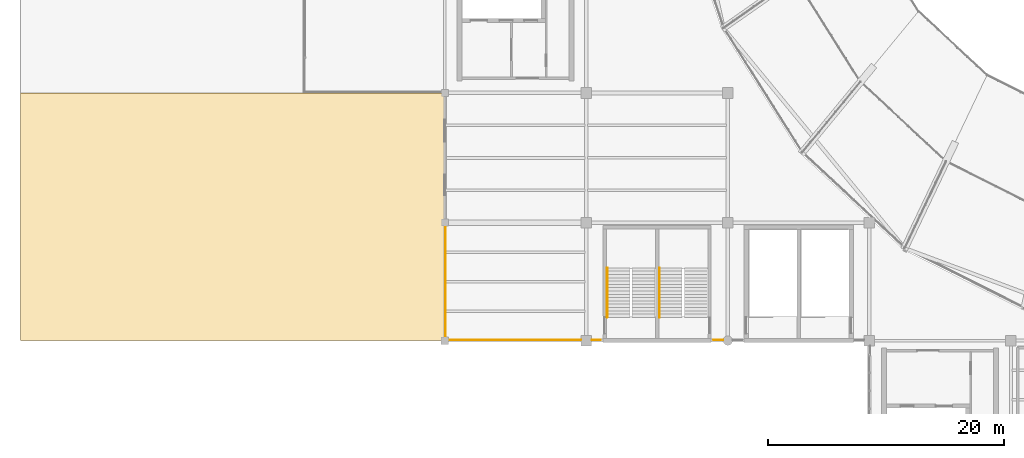
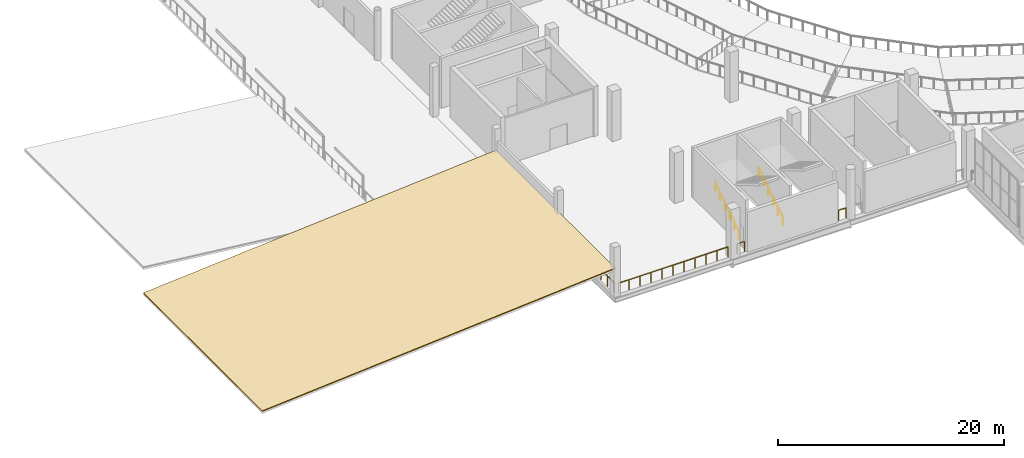
# One storey, part 62 of 74: 6 railings, 1 covering.
"""IFC4 building model written with IfcOpenShell, lengths in metres."""

import ifcopenshell
import ifcopenshell.guid

model = None  # the IFC model being written
_history = None  # IfcOwnerHistory: only IFC2X3 demands one
_inside = {}  # id of a spatial element -> (the spatial element, [elements in it])
_under = {}  # id of a project, library or spatial element -> (it, [spatial elements below it])
_declared = {}  # id of a project -> (the project, [libraries it declares])
_typed = {}  # id of a type object -> (the type object, [elements of that type])
_made_of = {}  # id of a material, layer set ... -> (it, [elements and type objects made of it])


def new_model(schema):
    """Start an empty IFC model of exactly this schema.

    Asked for "IFC4X3", IfcOpenShell would pick the latest addendum, in which some entities
    have other attributes; the version numbers below select the first issue.
    IFC2X3 requires an IfcOwnerHistory on every rooted entity: one is made here for all.
    """
    global model, _history
    if schema == "IFC4X3":
        model = ifcopenshell.file(schema_version=(4, 3, 0, 0))
    else:
        model = ifcopenshell.file(schema=schema)
    _inside.clear()
    _under.clear()
    _declared.clear()
    _typed.clear()
    _made_of.clear()
    _history = None
    if model.schema == "IFC2X3":
        org = make("IfcOrganization", Name="unknown")
        user = make(
            "IfcPersonAndOrganization",
            ThePerson=make("IfcPerson", FamilyName="unknown"),
            TheOrganization=org,
        )
        app = make(
            "IfcApplication",
            ApplicationDeveloper=org,
            Version="unknown",
            ApplicationFullName="unknown",
            ApplicationIdentifier="unknown",
        )
        _history = make(
            "IfcOwnerHistory",
            OwningUser=user,
            OwningApplication=app,
            ChangeAction="ADDED",
            CreationDate=0,
        )
    return model


def make(cls, **values):
    """One entity of the class cls with the attributes given. An attribute that is None is left unset."""
    return model.create_entity(
        cls, **{name: value for name, value in values.items() if value is not None}
    )


def rooted(cls, **values):
    """An entity with a GlobalId (a new one), such as an element, a storey or a relation."""
    return make(cls, GlobalId=ifcopenshell.guid.new(), OwnerHistory=_history, **values)


def si_unit(unit_type, name, prefix=None):
    """IfcSIUnit, for example si_unit("LENGTHUNIT", "METRE", prefix="MILLI")."""
    return make("IfcSIUnit", UnitType=unit_type, Prefix=prefix, Name=name)


def assignment(units):
    """IfcUnitAssignment: the units of a project."""
    return None if units is None else make("IfcUnitAssignment", Units=units)


def point(xyz):
    """IfcCartesianPoint."""
    return None if xyz is None else make("IfcCartesianPoint", Coordinates=xyz)


def direction(xyz):
    """IfcDirection."""
    return None if xyz is None else make("IfcDirection", DirectionRatios=xyz)


def frame(location, z_axis=None, x_axis=None):
    """IfcAxis2Placement3D, a coordinate frame: its origin and axes. An axis left out is left unset."""
    return make(
        "IfcAxis2Placement3D",
        Location=point(location),
        Axis=direction(z_axis),
        RefDirection=direction(x_axis),
    )


def frame_2d(location, x_axis=None):
    """IfcAxis2Placement2D, a coordinate frame in the plane: its origin and x axis."""
    return make(
        "IfcAxis2Placement2D", Location=point(location), RefDirection=direction(x_axis)
    )


def origin():
    """The frame at (0, 0, 0) with its axes left unset."""
    return frame((0.0, 0.0, 0.0))


def origin_2d():
    """The frame at (0, 0) in the plane with its x axis left unset."""
    return frame_2d((0.0, 0.0))


def place(relative_to, where):
    """IfcLocalPlacement: puts the frame where relative to a parent placement (None: the world)."""
    return make(
        "IfcLocalPlacement", PlacementRelTo=relative_to, RelativePlacement=where
    )


def context(
    kind, dimensions, precision=None, world=None, true_north=None, identifier=None
):
    """IfcGeometricRepresentationContext, for example the 3D "Model" context."""
    return make(
        "IfcGeometricRepresentationContext",
        ContextIdentifier=identifier,
        ContextType=kind,
        CoordinateSpaceDimension=dimensions,
        Precision=precision,
        WorldCoordinateSystem=world,
        TrueNorth=true_north,
    )


def subcontext(parent, identifier, kind, view, scale=None):
    """IfcGeometricRepresentationSubContext, for example "Body" below "Model"."""
    return make(
        "IfcGeometricRepresentationSubContext",
        ContextIdentifier=identifier,
        ContextType=kind,
        ParentContext=parent,
        TargetScale=scale,
        TargetView=view,
    )


def project(units=None, contexts=None):
    """IfcProject with its units and contexts."""
    return rooted(
        "IfcProject",
        Name="project",
        RepresentationContexts=contexts,
        UnitsInContext=assignment(units),
    )


def spatial(cls, under=None, at=None, **own):
    """A site, building, storey or space (cls), placed at a placement, below another one or the project."""
    s = rooted(cls, ObjectPlacement=at, **own)
    if under is not None:
        _under.setdefault(under.id(), (under, []))[1].append(s)
    return s


def polyline(points):
    """IfcPolyline through the points."""
    return make("IfcPolyline", Points=[point(p) for p in points])


def profile(cls, at=None, kind="AREA", **sizes):
    """A parametric profile (cls). Its sizes go by their IFC names, for example OverallWidth=200.0."""
    return make(cls, ProfileType=kind, Position=at, **sizes)


def circle(**sizes):
    """IfcCircleProfileDef."""
    return profile("IfcCircleProfileDef", **sizes)


def outline(outer, holes=None, kind="AREA"):
    """IfcArbitraryClosedProfileDef: a profile drawn as a closed curve; with holes, ...WithVoids."""
    if holes is None:
        return make("IfcArbitraryClosedProfileDef", ProfileType=kind, OuterCurve=outer)
    return make(
        "IfcArbitraryProfileDefWithVoids",
        ProfileType=kind,
        OuterCurve=outer,
        InnerCurves=holes,
    )


def extrude(swept, where, along, depth):
    """IfcExtrudedAreaSolid: the profile swept, set in the frame where, extruded along a direction by depth."""
    return make(
        "IfcExtrudedAreaSolid",
        SweptArea=swept,
        Position=where,
        ExtrudedDirection=direction(along),
        Depth=depth,
    )


def shape(context_of_items, identifier, shape_type, items):
    """IfcShapeRepresentation: the items that make up one representation, for example the "Body"."""
    return make(
        "IfcShapeRepresentation",
        ContextOfItems=context_of_items,
        RepresentationIdentifier=identifier,
        RepresentationType=shape_type,
        Items=items,
    )


def material(Name=None, Category=None):
    """IfcMaterial."""
    return make("IfcMaterial", Name=Name, Category=Category)


def layer(
    of_material, thickness, ventilated=None, Name=None, Category=None, Priority=None
):
    """IfcMaterialLayer: one layer of a wall or slab, of a material (None: an air gap)."""
    return make(
        "IfcMaterialLayer",
        Material=of_material,
        LayerThickness=thickness,
        IsVentilated=ventilated,
        Name=Name,
        Category=Category,
        Priority=Priority,
    )


def layer_set(layers, Name=None):
    """IfcMaterialLayerSet."""
    return make("IfcMaterialLayerSet", MaterialLayers=layers, LayerSetName=Name)


def made_of(thing, what):
    """Note that an element or type object is made of a material, layer set ...; save() writes the relation."""
    if what is not None:
        _made_of.setdefault(what.id(), (what, []))[1].append(thing)
    return thing


def type_object(cls, material=None, **own):
    """A type object (cls), such as IfcWallType, which elements share."""
    return made_of(rooted(cls, **own), material)


def element(
    cls,
    number,
    at=None,
    inside=None,
    cuts=None,
    type_object=None,
    material=None,
    context=None,
    identifier="Body",
    shape_type=None,
    held_by="IfcProductDefinitionShape",
    body=None,
    shapes=None,
    **own,
):
    """One element of the class cls, such as IfcWall. Its Tag is "e" and its number.

    at: its placement. inside: the storey or other place that contains it. cuts: it is an
    opening in that element (IfcRelVoidsElement). A single representation is given by context,
    identifier, shape_type and body (its items); several are given by shapes. held_by: the class
    of the entity that holds the representations. save() writes the other relations.
    """
    e = rooted(cls, Tag="e%d" % number, ObjectPlacement=at, **own)
    if body is not None:
        shapes = [shape(context, identifier, shape_type, body)]
    if shapes is not None:
        e.Representation = make(held_by, Representations=shapes)
    if inside is not None:
        _inside.setdefault(inside.id(), (inside, []))[1].append(e)
    if cuts is not None:
        rooted(
            "IfcRelVoidsElement", RelatingBuildingElement=cuts, RelatedOpeningElement=e
        )
    if type_object is not None:
        _typed.setdefault(type_object.id(), (type_object, []))[1].append(e)
    return made_of(e, material)


def aggregate(whole, parts):
    """IfcRelAggregates: a whole, such as a stair, and the parts it consists of."""
    return rooted("IfcRelAggregates", RelatingObject=whole, RelatedObjects=parts)


def save(model, path):
    """Write the relations noted so far, then the file.

    IfcRelAggregates (storeys below a building ...), IfcRelContainedInSpatialStructure (elements
    in a storey), IfcRelDefinesByType, IfcRelAssociatesMaterial and IfcRelDeclares: one each for
    every whole, place, type object, material and project.
    """
    for whole, parts in _under.values():
        aggregate(whole, parts)
    for where, things in _inside.values():
        rooted(
            "IfcRelContainedInSpatialStructure",
            RelatedElements=things,
            RelatingStructure=where,
        )
    for kind, things in _typed.values():
        rooted("IfcRelDefinesByType", RelatedObjects=things, RelatingType=kind)
    for what, things in _made_of.values():
        rooted("IfcRelAssociatesMaterial", RelatedObjects=things, RelatingMaterial=what)
    for by, libraries in _declared.values():
        rooted("IfcRelDeclares", RelatingContext=by, RelatedDefinitions=libraries)
    model.write(path)


model = new_model("IFC4")

# Units and contexts
model_context = context("Model", 3, precision=1e-05, world=origin(), true_north=direction((0.0, 1.0)))
body_context = subcontext(model_context, "Body", "Model", "MODEL_VIEW")
ifc_project = project(units=[si_unit("LENGTHUNIT", "METRE"), si_unit("AREAUNIT", "SQUARE_METRE"), si_unit("VOLUMEUNIT", "CUBIC_METRE"), si_unit("PLANEANGLEUNIT", "RADIAN"), si_unit("MASSUNIT", "GRAM", prefix="KILO")], contexts=[model_context])

# Site, building, storey
site_placement = place(None, origin())
site = spatial("IfcSite", under=ifc_project, at=site_placement, CompositionType="ELEMENT")
building_placement = place(site_placement, origin())
building = spatial("IfcBuilding", under=site, at=building_placement, Name="Brinegate Civic Arena", CompositionType="ELEMENT")
storey_placement = place(building_placement, frame((0.0, 0.0, 19.199951171875)))
storey = spatial("IfcBuildingStorey", under=building, at=storey_placement, Name="L04", CompositionType="ELEMENT", Elevation=19.199951171875)

# Railings
ifc_material_1 = material(Name="Architectural stainless steel balustrade", Category="steel")
railing_type_1 = type_object("IfcRailingType", Name="RAIL-STAIR-HANDRAIL-900", PredefinedType="HANDRAIL", material=ifc_material_1)
for number, where, name in (
    (1, (61.77490234375, 11.969970703125, 0.0), "Stair Pitch Handrail ST-02A L04"),
    (2, (66.22509765625, 11.969970703125, 0.0), "Stair Pitch Handrail ST-02B L04"),
):
    element("IfcRailing", number, at=place(storey_placement, frame(where)), inside=storey, type_object=railing_type_1, Name=name, PredefinedType="HANDRAIL", context=body_context, shape_type="SweptSolid", body=[
        extrude(circle(Radius=0.02392578125, at=origin_2d()), frame((0.0, 0.001220703125, 0.876708984375), z_axis=(0.0, 0.841180064094, 0.540755119968), x_axis=(-1.0, 0.0, 0.0)), (0.0, 0.0, 1.0), 4.989990234375),
        extrude(circle(Radius=0.02099609375, at=origin_2d()), origin(), (0.0, 0.0, 1.0), 0.849853515625),
        extrude(circle(Radius=0.02099609375, at=origin_2d()), frame((0.0, 0.840087890625, 0.5400390625)), (0.0, 0.0, 1.0), 0.849853515625),
        extrude(circle(Radius=0.02099609375, at=origin_2d()), frame((0.0, 1.679931640625, 1.080078125)), (0.0, 0.0, 1.0), 0.849853515625),
        extrude(circle(Radius=0.02099609375, at=origin_2d()), frame((0.0, 2.52001953125, 1.619873046875)), (0.0, 0.0, 1.0), 0.849853515625),
        extrude(circle(Radius=0.02099609375, at=origin_2d()), frame((0.0, 3.35986328125, 2.159912109375)), (0.0, 0.0, 1.0), 0.849853515625),
        extrude(circle(Radius=0.02099609375, at=origin_2d()), frame((0.0, 4.199951171875, 2.699951171875)), (0.0, 0.0, 1.0), 0.849853515625),
    ])
railing_type_2 = type_object("IfcRailingType", Name="RAIL-VOID-BALUSTRADE-1120", PredefinedType="BALUSTRADE", material=ifc_material_1)
railing_1_placement = place(storey_placement, frame((71.580078125, 10.070068359375, 0.0)))
element("IfcRailing", 3, at=railing_1_placement, inside=storey, type_object=railing_type_2, Name="Deck Edge Balustrade L04-379", PredefinedType="BALUSTRADE", context=body_context, shape_type="SweptSolid", body=[
    extrude(circle(Radius=0.02392578125, at=origin_2d()), frame((-0.00146484375, 0.0, 1.09619140625), z_axis=(-1.0, 0.0, 0.0), x_axis=(0.0, -1.0, 0.0)), (0.0, 0.0, 1.0), 0.777099609375),
    extrude(circle(Radius=0.02099609375, at=origin_2d()), origin(), (0.0, 0.0, 1.0), 1.070068359375),
    extrude(circle(Radius=0.02099609375, at=origin_2d()), frame((-0.780029296875, 0.0, 0.0)), (0.0, 0.0, 1.0), 1.070068359375),
])
railing_2_placement = place(storey_placement, frame((61.199951171875, 10.070068359375, 0.0)))
element("IfcRailing", 4, at=railing_2_placement, inside=storey, type_object=railing_type_2, Name="Deck Edge Balustrade L04-380", PredefinedType="BALUSTRADE", context=body_context, shape_type="SweptSolid", body=[
    extrude(circle(Radius=0.02392578125, at=origin_2d()), frame((-0.00146484375, 0.0, 1.09619140625), z_axis=(-1.0, 0.0, 0.0), x_axis=(0.0, -1.0, 0.0)), (0.0, 0.0, 1.0), 0.72705078125),
    extrude(circle(Radius=0.02099609375, at=origin_2d()), origin(), (0.0, 0.0, 1.0), 1.070068359375),
    extrude(circle(Radius=0.02099609375, at=origin_2d()), frame((-0.72998046875, 0.0, 0.0)), (0.0, 0.0, 1.0), 1.070068359375),
])
railing_3_placement = place(storey_placement, frame((59.530029296875, 10.070068359375, 0.0)))
element("IfcRailing", 5, at=railing_3_placement, inside=storey, type_object=railing_type_2, Name="Deck Edge Balustrade L04-381", PredefinedType="BALUSTRADE", context=body_context, shape_type="SweptSolid", body=[
    extrude(circle(Radius=0.02392578125, at=origin_2d()), frame((-0.00146484375, 0.0, 1.09619140625), z_axis=(-1.0, 0.0, 0.0), x_axis=(0.0, -1.0, 0.0)), (0.0, 0.0, 1.0), 11.18212890625),
    extrude(circle(Radius=0.02099609375, at=origin_2d()), origin(), (0.0, 0.0, 1.0), 1.070068359375),
    extrude(circle(Radius=0.02099609375, at=origin_2d()), frame((-1.118408203125, 0.0, 0.0)), (0.0, 0.0, 1.0), 1.070068359375),
    extrude(circle(Radius=0.02099609375, at=origin_2d()), frame((-2.237060546875, 0.0, 0.0)), (0.0, 0.0, 1.0), 1.070068359375),
    extrude(circle(Radius=0.02099609375, at=origin_2d()), frame((-3.35546875, 0.0, 0.0)), (0.0, 0.0, 1.0), 1.070068359375),
    extrude(circle(Radius=0.02099609375, at=origin_2d()), frame((-4.47412109375, 0.0, 0.0)), (0.0, 0.0, 1.0), 1.070068359375),
    extrude(circle(Radius=0.02099609375, at=origin_2d()), frame((-5.592529296875, 0.0, 0.0)), (0.0, 0.0, 1.0), 1.070068359375),
    extrude(circle(Radius=0.02099609375, at=origin_2d()), frame((-6.7109375, 0.0, 0.0)), (0.0, 0.0, 1.0), 1.070068359375),
    extrude(circle(Radius=0.02099609375, at=origin_2d()), frame((-7.82958984375, 0.0, 0.0)), (0.0, 0.0, 1.0), 1.070068359375),
    extrude(circle(Radius=0.02099609375, at=origin_2d()), frame((-8.947998046875, 0.0, 0.0)), (0.0, 0.0, 1.0), 1.070068359375),
    extrude(circle(Radius=0.02099609375, at=origin_2d()), frame((-10.066650390625, 0.0, 0.0)), (0.0, 0.0, 1.0), 1.070068359375),
    extrude(circle(Radius=0.02099609375, at=origin_2d()), frame((-11.18505859375, 0.0, 0.0)), (0.0, 0.0, 1.0), 1.070068359375),
])
railing_4_placement = place(storey_placement, frame((48.070068359375, 10.344970703125, 0.0)))
element("IfcRailing", 6, at=railing_4_placement, inside=storey, type_object=railing_type_2, Name="Deck Edge Balustrade L04-382", PredefinedType="BALUSTRADE", context=body_context, shape_type="SweptSolid", body=[
    extrude(circle(Radius=0.02392578125, at=origin_2d()), frame((0.0, 0.00146484375, 1.09619140625), z_axis=(0.0, 1.0, 0.0), x_axis=(-1.0, 0.0, 0.0)), (0.0, 0.0, 1.0), 9.33203125),
    extrude(circle(Radius=0.02099609375, at=origin_2d()), origin(), (0.0, 0.0, 1.0), 1.070068359375),
    extrude(circle(Radius=0.02099609375, at=origin_2d()), frame((0.0, 1.1669921875, 0.0)), (0.0, 0.0, 1.0), 1.070068359375),
    extrude(circle(Radius=0.02099609375, at=origin_2d()), frame((0.0, 2.333740234375, 0.0)), (0.0, 0.0, 1.0), 1.070068359375),
    extrude(circle(Radius=0.02099609375, at=origin_2d()), frame((0.0, 3.50048828125, 0.0)), (0.0, 0.0, 1.0), 1.070068359375),
    extrude(circle(Radius=0.02099609375, at=origin_2d()), frame((0.0, 4.66748046875, 0.0)), (0.0, 0.0, 1.0), 1.070068359375),
    extrude(circle(Radius=0.02099609375, at=origin_2d()), frame((0.0, 5.83447265625, 0.0)), (0.0, 0.0, 1.0), 1.070068359375),
    extrude(circle(Radius=0.02099609375, at=origin_2d()), frame((0.0, 7.001220703125, 0.0)), (0.0, 0.0, 1.0), 1.070068359375),
    extrude(circle(Radius=0.02099609375, at=origin_2d()), frame((0.0, 8.16796875, 0.0)), (0.0, 0.0, 1.0), 1.070068359375),
    extrude(circle(Radius=0.02099609375, at=origin_2d()), frame((0.0, 9.3349609375, 0.0)), (0.0, 0.0, 1.0), 1.070068359375),
])

# Covering
ifc_material_2 = material(Name="Standing-seam insulated aluminium roofing", Category="aluminium")
ifc_layer = layer(ifc_material_2, 0.10009765625, Name="Standing-seam insulated aluminium roofing")
ifc_layer_set = layer_set([ifc_layer], Name="Standing-seam insulated aluminium roofing")
covering_type = type_object("IfcCoveringType", Name="ROOFING-WING-SEAM-100", PredefinedType="ROOFING", material=ifc_layer_set)
covering_placement = place(storey_placement, frame((12.0, 10.0, 0.10498046875), z_axis=(-0.07754493013, 0.0, 0.996988858419), x_axis=(0.996988858419, 0.0, 0.07754493013)))
element("IfcCovering", 7, at=covering_placement, inside=storey, type_object=covering_type, Name="Standing Seam Roof Covering RFG-004", PredefinedType="ROOFING", context=body_context, shape_type="SweptSolid", body=[
    extrude(outline(polyline([(0.0, 0.0), (36.10872849381274, 0.0), (36.10872849381274, 21.0), (0.0, 21.0), (0.0, 0.0)])), origin(), (0.0, 0.0, -1.0), 0.10009765625),
])

save(model, "model.ifc")
